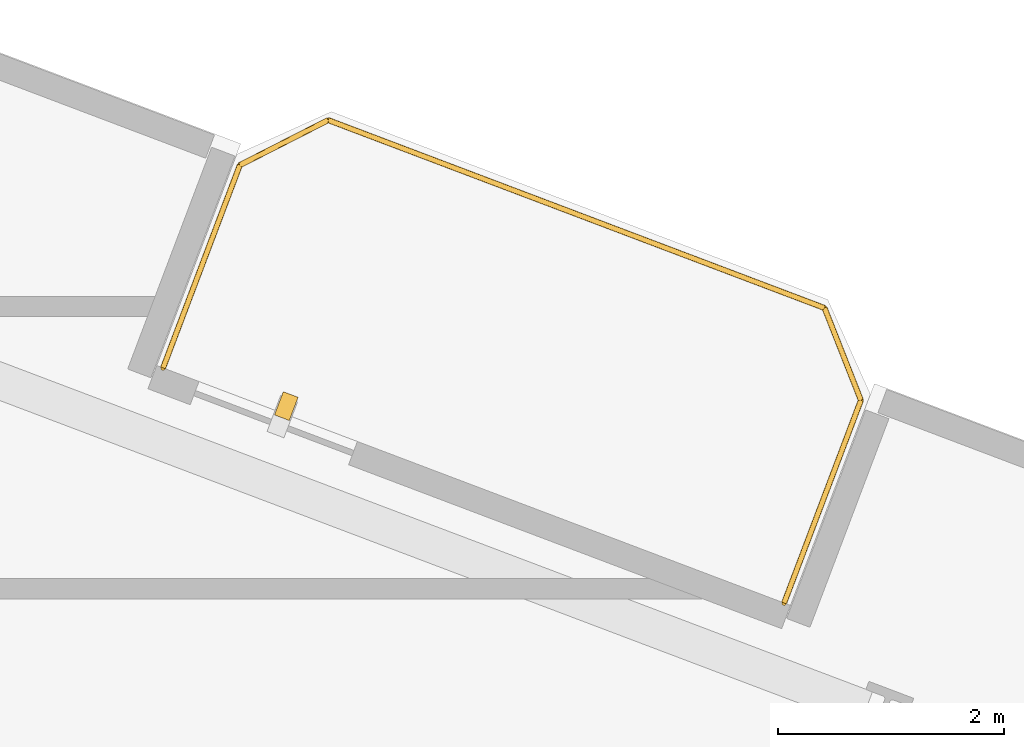
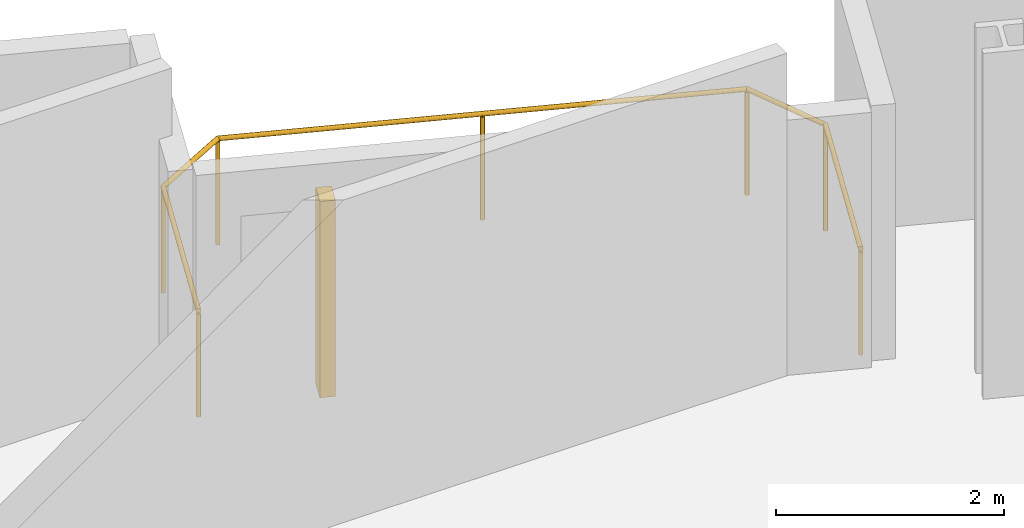
# One storey, part 26 of 26: 1 railing, 1 shading device.
"""IFC4 building model written with IfcOpenShell, lengths in metres."""

import ifcopenshell
import ifcopenshell.guid

model = None  # the IFC model being written
_history = None  # IfcOwnerHistory: only IFC2X3 demands one
_inside = {}  # id of a spatial element -> (the spatial element, [elements in it])
_under = {}  # id of a project, library or spatial element -> (it, [spatial elements below it])
_declared = {}  # id of a project -> (the project, [libraries it declares])
_typed = {}  # id of a type object -> (the type object, [elements of that type])
_made_of = {}  # id of a material, layer set ... -> (it, [elements and type objects made of it])


def new_model(schema):
    """Start an empty IFC model of exactly this schema.

    Asked for "IFC4X3", IfcOpenShell would pick the latest addendum, in which some entities
    have other attributes; the version numbers below select the first issue.
    IFC2X3 requires an IfcOwnerHistory on every rooted entity: one is made here for all.
    """
    global model, _history
    if schema == "IFC4X3":
        model = ifcopenshell.file(schema_version=(4, 3, 0, 0))
    else:
        model = ifcopenshell.file(schema=schema)
    _inside.clear()
    _under.clear()
    _declared.clear()
    _typed.clear()
    _made_of.clear()
    _history = None
    if model.schema == "IFC2X3":
        org = make("IfcOrganization", Name="unknown")
        user = make(
            "IfcPersonAndOrganization",
            ThePerson=make("IfcPerson", FamilyName="unknown"),
            TheOrganization=org,
        )
        app = make(
            "IfcApplication",
            ApplicationDeveloper=org,
            Version="unknown",
            ApplicationFullName="unknown",
            ApplicationIdentifier="unknown",
        )
        _history = make(
            "IfcOwnerHistory",
            OwningUser=user,
            OwningApplication=app,
            ChangeAction="ADDED",
            CreationDate=0,
        )
    return model


def make(cls, **values):
    """One entity of the class cls with the attributes given. An attribute that is None is left unset."""
    return model.create_entity(
        cls, **{name: value for name, value in values.items() if value is not None}
    )


def rooted(cls, **values):
    """An entity with a GlobalId (a new one), such as an element, a storey or a relation."""
    return make(cls, GlobalId=ifcopenshell.guid.new(), OwnerHistory=_history, **values)


def si_unit(unit_type, name, prefix=None):
    """IfcSIUnit, for example si_unit("LENGTHUNIT", "METRE", prefix="MILLI")."""
    return make("IfcSIUnit", UnitType=unit_type, Prefix=prefix, Name=name)


def assignment(units):
    """IfcUnitAssignment: the units of a project."""
    return None if units is None else make("IfcUnitAssignment", Units=units)


def point(xyz):
    """IfcCartesianPoint."""
    return None if xyz is None else make("IfcCartesianPoint", Coordinates=xyz)


def direction(xyz):
    """IfcDirection."""
    return None if xyz is None else make("IfcDirection", DirectionRatios=xyz)


def frame(location, z_axis=None, x_axis=None):
    """IfcAxis2Placement3D, a coordinate frame: its origin and axes. An axis left out is left unset."""
    return make(
        "IfcAxis2Placement3D",
        Location=point(location),
        Axis=direction(z_axis),
        RefDirection=direction(x_axis),
    )


def frame_2d(location, x_axis=None):
    """IfcAxis2Placement2D, a coordinate frame in the plane: its origin and x axis."""
    return make(
        "IfcAxis2Placement2D", Location=point(location), RefDirection=direction(x_axis)
    )


def origin():
    """The frame at (0, 0, 0) with its axes left unset."""
    return frame((0.0, 0.0, 0.0))


def origin_2d():
    """The frame at (0, 0) in the plane with its x axis left unset."""
    return frame_2d((0.0, 0.0))


def place(relative_to, where):
    """IfcLocalPlacement: puts the frame where relative to a parent placement (None: the world)."""
    return make(
        "IfcLocalPlacement", PlacementRelTo=relative_to, RelativePlacement=where
    )


def context(
    kind, dimensions, precision=None, world=None, true_north=None, identifier=None
):
    """IfcGeometricRepresentationContext, for example the 3D "Model" context."""
    return make(
        "IfcGeometricRepresentationContext",
        ContextIdentifier=identifier,
        ContextType=kind,
        CoordinateSpaceDimension=dimensions,
        Precision=precision,
        WorldCoordinateSystem=world,
        TrueNorth=true_north,
    )


def subcontext(parent, identifier, kind, view, scale=None):
    """IfcGeometricRepresentationSubContext, for example "Body" below "Model"."""
    return make(
        "IfcGeometricRepresentationSubContext",
        ContextIdentifier=identifier,
        ContextType=kind,
        ParentContext=parent,
        TargetScale=scale,
        TargetView=view,
    )


def project(units=None, contexts=None):
    """IfcProject with its units and contexts."""
    return rooted(
        "IfcProject",
        Name="project",
        RepresentationContexts=contexts,
        UnitsInContext=assignment(units),
    )


def spatial(cls, under=None, at=None, **own):
    """A site, building, storey or space (cls), placed at a placement, below another one or the project."""
    s = rooted(cls, ObjectPlacement=at, **own)
    if under is not None:
        _under.setdefault(under.id(), (under, []))[1].append(s)
    return s


def profile(cls, at=None, kind="AREA", **sizes):
    """A parametric profile (cls). Its sizes go by their IFC names, for example OverallWidth=200.0."""
    return make(cls, ProfileType=kind, Position=at, **sizes)


def rectangle(**sizes):
    """IfcRectangleProfileDef."""
    return profile("IfcRectangleProfileDef", **sizes)


def circle(**sizes):
    """IfcCircleProfileDef."""
    return profile("IfcCircleProfileDef", **sizes)


def extrude(swept, where, along, depth):
    """IfcExtrudedAreaSolid: the profile swept, set in the frame where, extruded along a direction by depth."""
    return make(
        "IfcExtrudedAreaSolid",
        SweptArea=swept,
        Position=where,
        ExtrudedDirection=direction(along),
        Depth=depth,
    )


def shape(context_of_items, identifier, shape_type, items):
    """IfcShapeRepresentation: the items that make up one representation, for example the "Body"."""
    return make(
        "IfcShapeRepresentation",
        ContextOfItems=context_of_items,
        RepresentationIdentifier=identifier,
        RepresentationType=shape_type,
        Items=items,
    )


def source(mapping_origin, context_of_items, identifier, shape_type, items):
    """IfcRepresentationMap: a shape defined once, which mapped items show again and again."""
    return make(
        "IfcRepresentationMap",
        MappingOrigin=mapping_origin,
        MappedRepresentation=shape(context_of_items, identifier, shape_type, items),
    )


def transform(
    local_origin,
    x_axis=None,
    y_axis=None,
    z_axis=None,
    scale=None,
    scale2=None,
    scale3=None,
    uniform=True,
):
    """IfcCartesianTransformationOperator3D, or its non-uniform kind. x_axis, y_axis, z_axis: its Axis1, 2, 3."""
    if uniform:
        return make(
            "IfcCartesianTransformationOperator3D",
            Axis1=direction(x_axis),
            Axis2=direction(y_axis),
            LocalOrigin=point(local_origin),
            Scale=scale,
            Axis3=direction(z_axis),
        )
    return make(
        "IfcCartesianTransformationOperator3DnonUniform",
        Axis1=direction(x_axis),
        Axis2=direction(y_axis),
        LocalOrigin=point(local_origin),
        Scale=scale,
        Axis3=direction(z_axis),
        Scale2=scale2,
        Scale3=scale3,
    )


def mapped(mapping_source, mapping_target):
    """IfcMappedItem: shows the shape of a source again, moved by a transform."""
    return make(
        "IfcMappedItem", MappingSource=mapping_source, MappingTarget=mapping_target
    )


def material(Name=None, Category=None):
    """IfcMaterial."""
    return make("IfcMaterial", Name=Name, Category=Category)


def made_of(thing, what):
    """Note that an element or type object is made of a material, layer set ...; save() writes the relation."""
    if what is not None:
        _made_of.setdefault(what.id(), (what, []))[1].append(thing)
    return thing


def type_object(cls, material=None, **own):
    """A type object (cls), such as IfcWallType, which elements share."""
    return made_of(rooted(cls, **own), material)


def element(
    cls,
    number,
    at=None,
    inside=None,
    cuts=None,
    type_object=None,
    material=None,
    context=None,
    identifier="Body",
    shape_type=None,
    held_by="IfcProductDefinitionShape",
    body=None,
    shapes=None,
    **own,
):
    """One element of the class cls, such as IfcWall. Its Tag is "e" and its number.

    at: its placement. inside: the storey or other place that contains it. cuts: it is an
    opening in that element (IfcRelVoidsElement). A single representation is given by context,
    identifier, shape_type and body (its items); several are given by shapes. held_by: the class
    of the entity that holds the representations. save() writes the other relations.
    """
    e = rooted(cls, Tag="e%d" % number, ObjectPlacement=at, **own)
    if body is not None:
        shapes = [shape(context, identifier, shape_type, body)]
    if shapes is not None:
        e.Representation = make(held_by, Representations=shapes)
    if inside is not None:
        _inside.setdefault(inside.id(), (inside, []))[1].append(e)
    if cuts is not None:
        rooted(
            "IfcRelVoidsElement", RelatingBuildingElement=cuts, RelatedOpeningElement=e
        )
    if type_object is not None:
        _typed.setdefault(type_object.id(), (type_object, []))[1].append(e)
    return made_of(e, material)


def aggregate(whole, parts):
    """IfcRelAggregates: a whole, such as a stair, and the parts it consists of."""
    return rooted("IfcRelAggregates", RelatingObject=whole, RelatedObjects=parts)


def save(model, path):
    """Write the relations noted so far, then the file.

    IfcRelAggregates (storeys below a building ...), IfcRelContainedInSpatialStructure (elements
    in a storey), IfcRelDefinesByType, IfcRelAssociatesMaterial and IfcRelDeclares: one each for
    every whole, place, type object, material and project.
    """
    for whole, parts in _under.values():
        aggregate(whole, parts)
    for where, things in _inside.values():
        rooted(
            "IfcRelContainedInSpatialStructure",
            RelatedElements=things,
            RelatingStructure=where,
        )
    for kind, things in _typed.values():
        rooted("IfcRelDefinesByType", RelatedObjects=things, RelatingType=kind)
    for what, things in _made_of.values():
        rooted("IfcRelAssociatesMaterial", RelatedObjects=things, RelatingMaterial=what)
    for by, libraries in _declared.values():
        rooted("IfcRelDeclares", RelatingContext=by, RelatedDefinitions=libraries)
    model.write(path)


model = new_model("IFC4")

# Units and contexts
model_context = context("Model", 3, precision=1e-05, world=origin(), true_north=direction((0.0, 1.0)))
body_context = subcontext(model_context, "Body", "Model", "MODEL_VIEW")
ifc_project = project(units=[si_unit("LENGTHUNIT", "METRE"), si_unit("AREAUNIT", "SQUARE_METRE"), si_unit("VOLUMEUNIT", "CUBIC_METRE"), si_unit("PLANEANGLEUNIT", "RADIAN"), si_unit("MASSUNIT", "GRAM", prefix="KILO")], contexts=[model_context])

# Site, building, storey
site_placement = place(None, origin())
site = spatial("IfcSite", under=ifc_project, at=site_placement, CompositionType="ELEMENT")
building_placement = place(site_placement, origin())
building = spatial("IfcBuilding", under=site, at=building_placement, Name="Varnelok Gate Tower", CompositionType="ELEMENT")
storey_placement = place(building_placement, frame((0.0, 0.0, 109.5)))
storey = spatial("IfcBuildingStorey", under=building, at=storey_placement, Name="L27", CompositionType="ELEMENT", Elevation=109.5)

# Railing
ifc_material_1 = material(Name="Low-E Laminated Double Glazing IGU", Category="glass")
railing_type = type_object("IfcRailingType", Name="RL-BALC-1150", PredefinedType="BALUSTRADE", material=ifc_material_1)
railing_placement = place(storey_placement, frame((57.49462890625, 41.256103515625, 0.0)))
element("IfcRailing", 1, at=railing_placement, inside=storey, type_object=railing_type, Name="L27 North Terrace Balustrade 6", PredefinedType="BALUSTRADE", context=body_context, shape_type="SweptSolid", body=[
    extrude(circle(Radius=0.02392578125, at=origin_2d()), frame((0.0, 0.0, 1.1259765625), z_axis=(0.354006333352, 0.935243025073, 0.0), x_axis=(-0.935243025073, 0.354006333352, 0.0)), (0.0, 0.0, 1.0), 1.919921875),
    extrude(circle(Radius=0.02392578125, at=origin_2d()), frame((0.6796875, 1.795654296875, 1.1259765625), z_axis=(0.89078254773, 0.454429810487, 0.0), x_axis=(-0.454429810487, 0.89078254773, 0.0)), (0.0, 0.0, 1.0), 0.8779296875),
    extrude(circle(Radius=0.02392578125, at=origin_2d()), frame((1.461669921875, 2.194580078125, 1.1259765625), z_axis=(0.935223045203, -0.354059113314, 0.0), x_axis=(0.354059113314, 0.935223045203, 0.0)), (0.0, 0.0, 1.0), 4.699951171875),
    extrude(circle(Radius=0.02392578125, at=origin_2d()), frame((5.857177734375, 0.530517578125, 1.1259765625), z_axis=(0.36659018357, -0.930382522036, 0.0), x_axis=(0.930382522036, 0.36659018357, 0.0)), (0.0, 0.0, 1.0), 0.877685546875),
    extrude(circle(Radius=0.02392578125, at=origin_2d()), frame((6.178955078125, -0.2861328125, 1.1259765625), z_axis=(-0.354117547856, -0.935200920819, 0.0), x_axis=(0.935200920819, -0.354117547856, 0.0)), (0.0, 0.0, 1.0), 1.920166015625),
    extrude(circle(Radius=0.02099609375, at=origin_2d()), origin(), (0.0, 0.0, 1.0), 1.101806640625),
    extrude(circle(Radius=0.02099609375, at=origin_2d()), frame((0.6796875, 1.795654296875, 0.0)), (0.0, 0.0, 1.0), 1.101806640625),
    extrude(circle(Radius=0.02099609375, at=origin_2d()), frame((1.461669921875, 2.194580078125, 0.0)), (0.0, 0.0, 1.0), 1.101806640625),
    extrude(circle(Radius=0.02099609375, at=origin_2d()), frame((3.659423828125, 1.362548828125, 0.0)), (0.0, 0.0, 1.0), 1.101806640625),
    extrude(circle(Radius=0.02099609375, at=origin_2d()), frame((5.857177734375, 0.530517578125, 0.0)), (0.0, 0.0, 1.0), 1.101806640625),
    extrude(circle(Radius=0.02099609375, at=origin_2d()), frame((6.178955078125, -0.2861328125, 0.0)), (0.0, 0.0, 1.0), 1.101806640625),
    extrude(circle(Radius=0.02099609375, at=origin_2d()), frame((5.4990234375, -2.081787109375, 0.0)), (0.0, 0.0, 1.0), 1.101806640625),
])

# Shading device
ifc_material_2 = material(Name="Glazed Architectural Terracotta Ceramic", Category="masonry")
shading_device_type = type_object("IfcShadingDeviceType", Name="SHD-TERRA-FIN", PredefinedType="USERDEFINED", material=ifc_material_2)
shared_shape = source(origin(), body_context, "Body", "SweptSolid", [
    extrude(rectangle(XDim=0.139892578125, YDim=0.219970703125, at=origin_2d()), origin(), (0.0, 0.0, 1.0), 2.10009765625),
])
shading_device_placement = place(storey_placement, frame((58.58544921875, 40.91796875, 0.099853515625), z_axis=(0.0, 0.0, 1.0), x_axis=(0.935221751401, -0.354062530786, 0.0)))
element("IfcShadingDevice", 2, at=shading_device_placement, inside=storey, type_object=shading_device_type, Name="L27 Terracotta Ceramic Baguette Sunscreen 6.1", ObjectType="BAGUETTE", PredefinedType="USERDEFINED", context=body_context, shape_type="MappedRepresentation", body=[
    mapped(shared_shape, transform((0.0, 0.0, 0.0), scale=1.0)),
])

save(model, "model.ifc")
